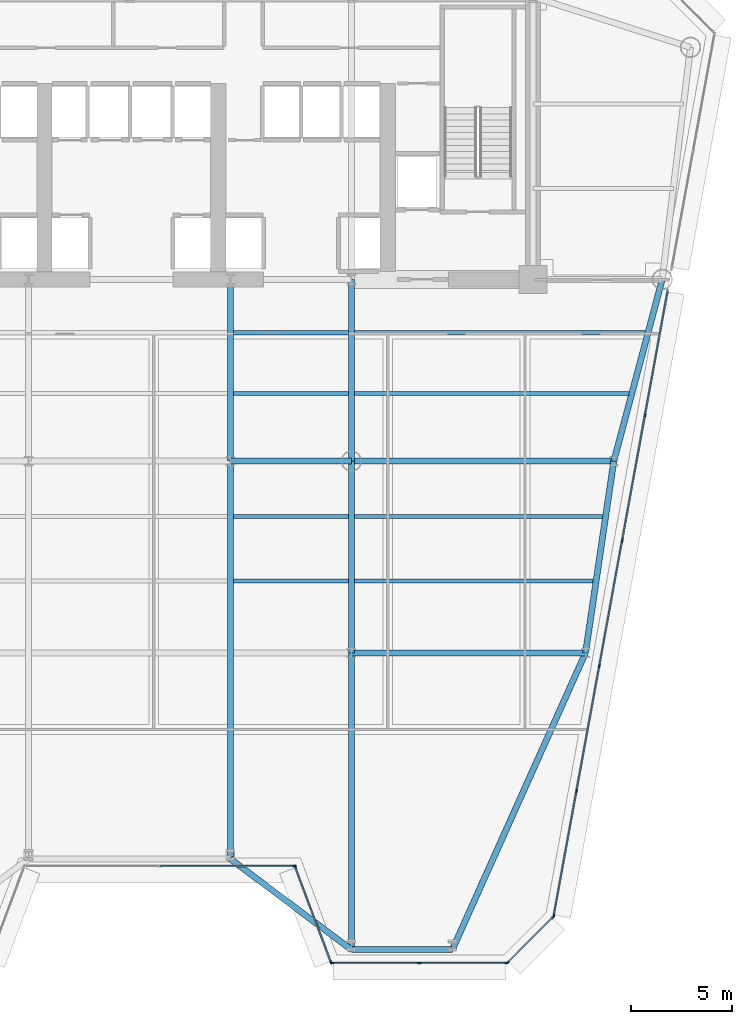
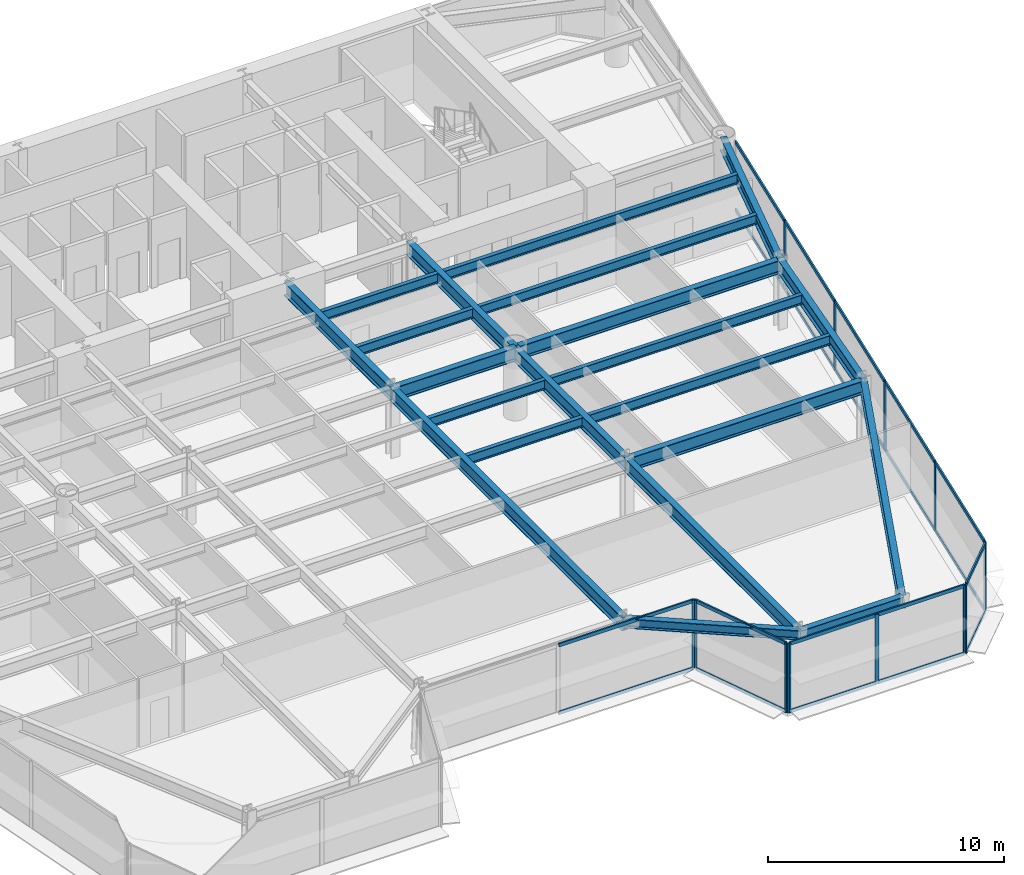
# One storey, part 5 of 15: 33 members, 21 beams, 5 elements without a shape of their own.
"""IFC4 building model written with IfcOpenShell, lengths in metres."""

from ifc_helpers import new_model, si_unit, direction, frame, origin, origin_2d, place, context, subcontext, project, spatial, rectangle, i_section, extrude, source, transform, mapped, material, layer, layer_set, material_profile, profile_set, type_object, element, aggregate, save


model = new_model("IFC4")

# Units and contexts
model_context = context("Model", 3, precision=1e-05, world=origin(), true_north=direction((0.0, 1.0)))
body_context = subcontext(model_context, "Body", "Model", "MODEL_VIEW")
ifc_project = project(units=[si_unit("LENGTHUNIT", "METRE"), si_unit("AREAUNIT", "SQUARE_METRE"), si_unit("VOLUMEUNIT", "CUBIC_METRE"), si_unit("PLANEANGLEUNIT", "RADIAN"), si_unit("MASSUNIT", "GRAM", prefix="KILO")], contexts=[model_context])

# Site, building, storey
site_placement = place(None, origin())
site = spatial("IfcSite", under=ifc_project, at=site_placement, CompositionType="ELEMENT")
building_placement = place(site_placement, origin())
building = spatial("IfcBuilding", under=site, at=building_placement, Name="Vaeldorn Concourse Tower", CompositionType="ELEMENT")
storey_placement = place(building_placement, frame((0.0, 0.0, 103.39990234375)))
storey = spatial("IfcBuildingStorey", under=building, at=storey_placement, Name="L26", CompositionType="ELEMENT", Elevation=103.39990234375)

# Beams
ifc_material_1 = material(Name="Steel S355", Category="steel")
ifc_material_profile_1 = material_profile(ifc_material_1, i_section(OverallWidth=0.199951171875, OverallDepth=0.5, WebThickness=0.01025390625, FlangeThickness=0.01611328125, FilletRadius=0.02099609375, at=origin_2d()), Name="IPE 500")
ifc_profile_set_1 = profile_set([ifc_material_profile_1], Name="Steel S355")
beam_type_1 = type_object("IfcBeamType", Name="BM-JS-IPE500", PredefinedType="JOIST", material=ifc_profile_set_1)
shared_shape_1 = source(origin(), body_context, "Body", "SweptSolid", [
    extrude(i_section(OverallWidth=0.199951171875, OverallDepth=0.5, WebThickness=0.01025390625, FlangeThickness=0.01611328125, FilletRadius=0.02099609375, at=origin_2d()), origin(), (0.0, 0.0, 1.0), 11.82470703125),
])
beam_1_placement = place(storey_placement, frame((45.14990234375, 21.56005859375, 3.330078125), z_axis=(1.0, 0.0, 0.0), x_axis=(0.0, 1.0, 0.0)))
element("IfcBeam", 1, at=beam_1_placement, inside=storey, type_object=beam_type_1, Name="Beam JS-L26-E1-215", PredefinedType="JOIST", context=body_context, shape_type="MappedRepresentation", body=[
    mapped(shared_shape_1, transform((0.0, 0.0, 0.0), scale=1.0)),
])
shared_shape_2 = source(origin(), body_context, "Body", "SweptSolid", [
    extrude(i_section(OverallWidth=0.199951171875, OverallDepth=0.5, WebThickness=0.01025390625, FlangeThickness=0.01611328125, FilletRadius=0.02099609375, at=origin_2d()), origin(), (0.0, 0.0, 1.0), 5.7001953125),
])
for number, where, z_axis, x_axis, name in (
    (2, (39.14990234375, 21.56005859375, 3.330078125), (1.0, 0.0, 0.0), (0.0, 1.0, 0.0), "Beam JS-L26-E2-215"),
    (3, (39.14990234375, 24.760009765625, 3.330078125), (1.0, 0.0, 0.0), (0.0, 1.0, 0.0), "Beam JS-L26-E2-247"),
    (4, (39.14990234375, 30.860107421875, 3.330078125), (1.0, 0.0, 0.0), (0.0, 1.0, 0.0), "Beam JS-L26-E2-308"),
    (5, (39.14990234375, 33.860107421875, 3.330078125), (1.0, 0.0, 0.0), (0.0, 1.0, 0.0), "Beam JS-L26-E2-338"),
):
    element("IfcBeam", number, at=place(storey_placement, frame(where, z_axis=z_axis, x_axis=x_axis)), inside=storey, type_object=beam_type_1, Name=name, PredefinedType="JOIST", context=body_context, shape_type="MappedRepresentation", body=[
        mapped(shared_shape_2, transform((0.0, 0.0, 0.0), scale=1.0)),
    ])
shared_shape_3 = source(origin(), body_context, "Body", "SweptSolid", [
    extrude(i_section(OverallWidth=0.199951171875, OverallDepth=0.5, WebThickness=0.01025390625, FlangeThickness=0.01611328125, FilletRadius=0.02099609375, at=origin_2d()), origin(), (0.0, 0.0, 1.0), 12.29638671875),
])
beam_2_placement = place(storey_placement, frame((45.14990234375, 24.760009765625, 3.330078125), z_axis=(1.0, 0.0, 0.0), x_axis=(0.0, 1.0, 0.0)))
element("IfcBeam", 6, at=beam_2_placement, inside=storey, type_object=beam_type_1, Name="Beam JS-L26-E1-247", PredefinedType="JOIST", context=body_context, shape_type="MappedRepresentation", body=[
    mapped(shared_shape_3, transform((0.0, 0.0, 0.0), scale=1.0)),
])
shared_shape_4 = source(origin(), body_context, "Body", "SweptSolid", [
    extrude(i_section(OverallWidth=0.199951171875, OverallDepth=0.5, WebThickness=0.01025390625, FlangeThickness=0.01611328125, FilletRadius=0.02099609375, at=origin_2d()), origin(), (0.0, 0.0, 1.0), 13.59619140625),
])
beam_3_placement = place(storey_placement, frame((45.14990234375, 30.860107421875, 3.330078125), z_axis=(1.0, 0.0, 0.0), x_axis=(0.0, 1.0, 0.0)))
element("IfcBeam", 7, at=beam_3_placement, inside=storey, type_object=beam_type_1, Name="Beam JS-L26-E1-308", PredefinedType="JOIST", context=body_context, shape_type="MappedRepresentation", body=[
    mapped(shared_shape_4, transform((0.0, 0.0, 0.0), scale=1.0)),
])
shared_shape_5 = source(origin(), body_context, "Body", "SweptSolid", [
    extrude(i_section(OverallWidth=0.199951171875, OverallDepth=0.5, WebThickness=0.01025390625, FlangeThickness=0.01611328125, FilletRadius=0.02099609375, at=origin_2d()), origin(), (0.0, 0.0, 1.0), 14.39599609375),
])
beam_4_placement = place(storey_placement, frame((45.14990234375, 33.860107421875, 3.330078125), z_axis=(1.0, 0.0, 0.0), x_axis=(0.0, 1.0, 0.0)))
element("IfcBeam", 8, at=beam_4_placement, inside=storey, type_object=beam_type_1, Name="Beam JS-L26-E1-338", PredefinedType="JOIST", context=body_context, shape_type="MappedRepresentation", body=[
    mapped(shared_shape_5, transform((0.0, 0.0, 0.0), scale=1.0)),
])
ifc_material_profile_2 = material_profile(ifc_material_1, i_section(OverallWidth=0.300048828125, OverallDepth=0.699951171875, WebThickness=0.01708984375, FlangeThickness=0.031982421875, FilletRadius=0.027099609375, at=origin_2d()), Name="HEB 700")
ifc_profile_set_2 = profile_set([ifc_material_profile_2], Name="Steel S355")
beam_type_2 = type_object("IfcBeamType", Name="BM-PG-HEB700", PredefinedType="BEAM", material=ifc_profile_set_2)
shared_shape_6 = source(origin(), body_context, "Body", "SweptSolid", [
    extrude(i_section(OverallWidth=0.300048828125, OverallDepth=0.699951171875, WebThickness=0.01708984375, FlangeThickness=0.031982421875, FilletRadius=0.027099609375, at=origin_2d()), origin(), (0.0, 0.0, 1.0), 6.0),
])
beam_5_placement = place(storey_placement, frame((39.0, 27.5, 3.22998046875), z_axis=(1.0, 0.0, 0.0), x_axis=(0.0, 1.0, 0.0)))
element("IfcBeam", 9, at=beam_5_placement, inside=storey, type_object=beam_type_2, Name="Beam BM-L26-C-TW3-C-TW4", PredefinedType="BEAM", context=body_context, shape_type="MappedRepresentation", body=[
    mapped(shared_shape_6, transform((0.0, 0.0, 0.0), scale=1.0)),
])
shared_shape_7 = source(origin(), body_context, "Body", "SweptSolid", [
    extrude(i_section(OverallWidth=0.300048828125, OverallDepth=0.699951171875, WebThickness=0.01708984375, FlangeThickness=0.031982421875, FilletRadius=0.027099609375, at=origin_2d()), origin(), (0.0, 0.0, 1.0), 9.0),
])
for number, where, z_axis, x_axis, name in (
    (10, (39.0, 27.5, 3.22998046875), (0.0, 1.0, 0.0), (-1.0, 0.0, 0.0), "Beam BM-L26-C-TW3-C-FC4"),
    (11, (45.0, 27.5, 3.22998046875), (0.0, 1.0, 0.0), (-1.0, 0.0, 0.0), "Beam BM-L26-C-TW4-C-FC5"),
):
    element("IfcBeam", number, at=place(storey_placement, frame(where, z_axis=z_axis, x_axis=x_axis)), inside=storey, type_object=beam_type_2, Name=name, PredefinedType="BEAM", context=body_context, shape_type="MappedRepresentation", body=[
        mapped(shared_shape_7, transform((0.0, 0.0, 0.0), scale=1.0)),
    ])
shared_shape_8 = source(origin(), body_context, "Body", "SweptSolid", [
    extrude(i_section(OverallWidth=0.300048828125, OverallDepth=0.699951171875, WebThickness=0.01708984375, FlangeThickness=0.031982421875, FilletRadius=0.027099609375, at=origin_2d()), origin(), (0.0, 0.0, 1.0), 9.314453125),
])
beam_6_placement = place(storey_placement, frame((60.39990234375, 36.5, 3.22998046875), z_axis=(-0.257652862255, -0.966237549763, 0.0), x_axis=(0.966237549763, -0.257652862255, 0.0)))
element("IfcBeam", 12, at=beam_6_placement, inside=storey, type_object=beam_type_2, Name="Beam BM-L26-C-NE2-C-FLE1", PredefinedType="BEAM", context=body_context, shape_type="MappedRepresentation", body=[
    mapped(shared_shape_8, transform((0.0, 0.0, 0.0), scale=1.0)),
])
shared_shape_9 = source(origin(), body_context, "Body", "SweptSolid", [
    extrude(i_section(OverallWidth=0.300048828125, OverallDepth=0.699951171875, WebThickness=0.01708984375, FlangeThickness=0.031982421875, FilletRadius=0.027099609375, at=origin_2d()), origin(), (0.0, 0.0, 1.0), 13.0),
])
beam_7_placement = place(storey_placement, frame((45.0, 27.5, 3.22998046875), z_axis=(1.0, 0.0, 0.0), x_axis=(0.0, 1.0, 0.0)))
element("IfcBeam", 13, at=beam_7_placement, inside=storey, type_object=beam_type_2, Name="Beam BM-L26-C-TW4-C-FLE1", PredefinedType="BEAM", context=body_context, shape_type="MappedRepresentation", body=[
    mapped(shared_shape_9, transform((0.0, 0.0, 0.0), scale=1.0)),
])
ifc_material_profile_3 = material_profile(ifc_material_1, i_section(OverallWidth=0.300048828125, OverallDepth=0.5, WebThickness=0.014404296875, FlangeThickness=0.028076171875, FilletRadius=0.027099609375, at=origin_2d()), Name="HEB 500")
ifc_profile_set_3 = profile_set([ifc_material_profile_3], Name="Steel S355")
beam_type_3 = type_object("IfcBeamType", Name="BM-SP-HEB500", PredefinedType="SPANDREL", material=ifc_profile_set_3)
shared_shape_10 = source(origin(), body_context, "Body", "SweptSolid", [
    extrude(i_section(OverallWidth=0.300048828125, OverallDepth=0.5, WebThickness=0.014404296875, FlangeThickness=0.028076171875, FilletRadius=0.027099609375, at=origin_2d()), origin(), (0.0, 0.0, 1.0), 5.0),
])
beam_8_placement = place(storey_placement, frame((45.0, 3.290771484375, 3.330078125), z_axis=(1.0, 0.0, 0.0), x_axis=(0.0, 1.0, 0.0)))
element("IfcBeam", 14, at=beam_8_placement, inside=storey, type_object=beam_type_3, Name="Beam BM-L26-C-SF5-C-SF6", PredefinedType="SPANDREL", context=body_context, shape_type="MappedRepresentation", body=[
    mapped(shared_shape_10, transform((0.0, 0.0, 0.0), scale=1.0)),
])
shared_shape_11 = source(origin(), body_context, "Body", "SweptSolid", [
    extrude(i_section(OverallWidth=0.300048828125, OverallDepth=0.5, WebThickness=0.014404296875, FlangeThickness=0.028076171875, FilletRadius=0.027099609375, at=origin_2d()), origin(), (0.0, 0.0, 1.0), 7.5),
])
beam_9_placement = place(storey_placement, frame((39.0, 7.790771484375, 3.330078125), z_axis=(0.8, -0.6, 0.0), x_axis=(0.6, 0.8, 0.0)))
element("IfcBeam", 15, at=beam_9_placement, inside=storey, type_object=beam_type_3, Name="Beam BM-L26-C-SF4-C-SF5", PredefinedType="SPANDREL", context=body_context, shape_type="MappedRepresentation", body=[
    mapped(shared_shape_11, transform((0.0, 0.0, 0.0), scale=1.0)),
])
shared_shape_12 = source(origin(), body_context, "Body", "SweptSolid", [
    extrude(i_section(OverallWidth=0.300048828125, OverallDepth=0.699951171875, WebThickness=0.01708984375, FlangeThickness=0.031982421875, FilletRadius=0.027099609375, at=origin_2d()), origin(), (0.0, 0.0, 1.0), 9.6025390625),
])
beam_10_placement = place(storey_placement, frame((58.0, 27.5, 3.22998046875), z_axis=(-0.145783835977, -0.989316467652, 0.0), x_axis=(0.989316467652, -0.145783835977, 0.0)))
element("IfcBeam", 16, at=beam_10_placement, inside=storey, type_object=beam_type_2, Name="Beam BM-L26-C-FLE1-C-FLE2", PredefinedType="BEAM", context=body_context, shape_type="MappedRepresentation", body=[
    mapped(shared_shape_12, transform((0.0, 0.0, 0.0), scale=1.0)),
])
shared_shape_13 = source(origin(), body_context, "Body", "SweptSolid", [
    extrude(i_section(OverallWidth=0.300048828125, OverallDepth=0.699951171875, WebThickness=0.01708984375, FlangeThickness=0.031982421875, FilletRadius=0.027099609375, at=origin_2d()), origin(), (0.0, 0.0, 1.0), 11.60009765625),
])
beam_11_placement = place(storey_placement, frame((45.0, 18.0, 3.22998046875), z_axis=(1.0, 0.0, 0.0), x_axis=(0.0, 1.0, 0.0)))
element("IfcBeam", 17, at=beam_11_placement, inside=storey, type_object=beam_type_2, Name="Beam BM-L26-C-TW6-C-FLE2", PredefinedType="BEAM", context=body_context, shape_type="MappedRepresentation", body=[
    mapped(shared_shape_13, transform((0.0, 0.0, 0.0), scale=1.0)),
])
shared_shape_14 = source(origin(), body_context, "Body", "SweptSolid", [
    extrude(i_section(OverallWidth=0.300048828125, OverallDepth=0.699951171875, WebThickness=0.01708984375, FlangeThickness=0.031982421875, FilletRadius=0.027099609375, at=origin_2d()), origin(), (0.0, 0.0, 1.0), 9.5),
])
beam_12_placement = place(storey_placement, frame((45.0, 18.0, 3.22998046875), z_axis=(0.0, 1.0, 0.0), x_axis=(-1.0, 0.0, 0.0)))
element("IfcBeam", 18, at=beam_12_placement, inside=storey, type_object=beam_type_2, Name="Beam BM-L26-C-TW6-C-TW4", PredefinedType="BEAM", context=body_context, shape_type="MappedRepresentation", body=[
    mapped(shared_shape_14, transform((0.0, 0.0, 0.0), scale=1.0)),
])
shared_shape_15 = source(origin(), body_context, "Body", "SweptSolid", [
    extrude(i_section(OverallWidth=0.300048828125, OverallDepth=0.699951171875, WebThickness=0.01708984375, FlangeThickness=0.031982421875, FilletRadius=0.027099609375, at=origin_2d()), origin(), (0.0, 0.0, 1.0), 16.1220703125),
])
beam_13_placement = place(storey_placement, frame((50.0, 3.290771484375, 3.22998046875), z_axis=(0.409381547022, 0.912363276857, 0.0), x_axis=(-0.912363276857, 0.409381547022, 0.0)))
element("IfcBeam", 19, at=beam_13_placement, inside=storey, type_object=beam_type_2, Name="Beam BM-L26-C-SF6-C-FLE2", PredefinedType="BEAM", context=body_context, shape_type="MappedRepresentation", body=[
    mapped(shared_shape_15, transform((0.0, 0.0, 0.0), scale=1.0)),
])
shared_shape_16 = source(origin(), body_context, "Body", "SweptSolid", [
    extrude(i_section(OverallWidth=0.300048828125, OverallDepth=0.699951171875, WebThickness=0.01708984375, FlangeThickness=0.031982421875, FilletRadius=0.027099609375, at=origin_2d()), origin(), (0.0, 0.0, 1.0), 14.709228515625),
])
beam_14_placement = place(storey_placement, frame((45.0, 3.290771484375, 3.22998046875), z_axis=(0.0, 1.0, 0.0), x_axis=(-1.0, 0.0, 0.0)))
element("IfcBeam", 20, at=beam_14_placement, inside=storey, type_object=beam_type_2, Name="Beam BM-L26-C-SF5-C-TW6", PredefinedType="BEAM", context=body_context, shape_type="MappedRepresentation", body=[
    mapped(shared_shape_16, transform((0.0, 0.0, 0.0), scale=1.0)),
])
shared_shape_17 = source(origin(), body_context, "Body", "SweptSolid", [
    extrude(i_section(OverallWidth=0.300048828125, OverallDepth=0.699951171875, WebThickness=0.01708984375, FlangeThickness=0.031982421875, FilletRadius=0.027099609375, at=origin_2d()), origin(), (0.0, 0.0, 1.0), 19.709228515625),
])
beam_15_placement = place(storey_placement, frame((39.0, 7.790771484375, 3.22998046875), z_axis=(0.0, 1.0, 0.0), x_axis=(-1.0, 0.0, 0.0)))
element("IfcBeam", 21, at=beam_15_placement, inside=storey, type_object=beam_type_2, Name="Beam BM-L26-C-SF4-C-TW3", PredefinedType="BEAM", context=body_context, shape_type="MappedRepresentation", body=[
    mapped(shared_shape_17, transform((0.0, 0.0, 0.0), scale=1.0)),
])

# Curtain wall, members
ifc_material_2 = material(Name="Anodised Bronze Aluminium", Category="aluminium")
ifc_layer = layer(ifc_material_2, 0.199951171875)
ifc_layer_set = layer_set([ifc_layer], Name="Anodised Bronze Aluminium")
curtain_wall_type = type_object("IfcCurtainWallType", Name="CW-SYS-02", PredefinedType="NOTDEFINED", material=ifc_layer_set)
curtain_wall_1_placement = place(storey_placement, origin())
curtain_wall_1 = element("IfcCurtainWall", 22, at=curtain_wall_1_placement, inside=storey, type_object=curtain_wall_type, Name="Unitised Curtain Wall CW-L26-E03-1", PredefinedType="NOTDEFINED")
ifc_material_profile_4 = material_profile(ifc_material_2, rectangle(XDim=0.074951171875, YDim=0.179931640625, at=origin_2d()), Name="CWT 75x180")
ifc_profile_set_4 = profile_set([ifc_material_profile_4], Name="Anodised Bronze Aluminium")
member_type_1 = type_object("IfcMemberType", Name="CWT-BRONZE-180", PredefinedType="USERDEFINED", material=ifc_profile_set_4)
shared_shape_18 = source(origin(), body_context, "Body", "SweptSolid", [
    extrude(rectangle(XDim=0.074951171875, YDim=0.179931640625, at=origin_2d()), origin(), (0.0, 0.0, 1.0), 6.58740234375),
])
member_1_placement = place(storey_placement, frame((35.53759765625, 7.4296875, 0.03759765625), z_axis=(1.0, 0.0, 0.0), x_axis=(0.0, 1.0, 0.0)))
member_1 = element("IfcMember", 23, at=member_1_placement, type_object=member_type_1, Name="CW-02 transom 2.1", ObjectType="TRANSOM", PredefinedType="USERDEFINED", context=body_context, shape_type="MappedRepresentation", body=[
    mapped(shared_shape_18, transform((0.0, 0.0, 0.0), scale=1.0)),
])
member_2_placement = place(storey_placement, frame((35.53759765625, 7.4296875, 3.54248046875), z_axis=(1.0, 0.0, 0.0), x_axis=(0.0, 1.0, 0.0)))
member_2 = element("IfcMember", 24, at=member_2_placement, type_object=member_type_1, Name="CW-02 transom 2.2", ObjectType="TRANSOM", PredefinedType="USERDEFINED", context=body_context, shape_type="MappedRepresentation", body=[
    mapped(shared_shape_18, transform((0.0, 0.0, 0.0), scale=1.0)),
])

curtain_wall_2_placement = place(storey_placement, origin())
curtain_wall_2 = element("IfcCurtainWall", 25, at=curtain_wall_2_placement, inside=storey, type_object=curtain_wall_type, Name="Unitised Curtain Wall CW-L26-E04-1", PredefinedType="NOTDEFINED")
shared_shape_19 = source(origin(), body_context, "Body", "SweptSolid", [
    extrude(rectangle(XDim=0.074951171875, YDim=0.179931640625, at=origin_2d()), origin(), (0.0, 0.0, 1.0), 4.9765625),
])
member_3_placement = place(storey_placement, frame((42.226318359375, 7.359619140625, 0.03759765625), z_axis=(0.351112688987, -0.936333209724, 0.0), x_axis=(0.936333209724, 0.351112688987, 0.0)))
member_3 = element("IfcMember", 26, at=member_3_placement, type_object=member_type_1, Name="CW-02 transom 1.1", ObjectType="TRANSOM", PredefinedType="USERDEFINED", context=body_context, shape_type="MappedRepresentation", body=[
    mapped(shared_shape_19, transform((0.0, 0.0, 0.0), scale=1.0)),
])
member_4_placement = place(storey_placement, frame((42.226318359375, 7.359619140625, 3.54248046875), z_axis=(0.351112688987, -0.936333209724, 0.0), x_axis=(0.936333209724, 0.351112688987, 0.0)))
member_4 = element("IfcMember", 27, at=member_4_placement, type_object=member_type_1, Name="CW-02 transom 1.2", ObjectType="TRANSOM", PredefinedType="USERDEFINED", context=body_context, shape_type="MappedRepresentation", body=[
    mapped(shared_shape_19, transform((0.0, 0.0, 0.0), scale=1.0)),
])

curtain_wall_3_placement = place(storey_placement, origin())
curtain_wall_3 = element("IfcCurtainWall", 28, at=curtain_wall_3_placement, inside=storey, type_object=curtain_wall_type, Name="Unitised Curtain Wall CW-L26-E06-1", PredefinedType="NOTDEFINED")
shared_shape_20 = source(origin(), body_context, "Body", "SweptSolid", [
    extrude(rectangle(XDim=0.074951171875, YDim=0.179931640625, at=origin_2d()), origin(), (0.0, 0.0, 1.0), 3.1025390625),
])
member_5_placement = place(storey_placement, frame((52.77197265625, 2.682861328125, 0.03759765625), z_axis=(0.707106781187, 0.707106781187, 0.0), x_axis=(-0.707106781187, 0.707106781187, 0.0)))
member_5 = element("IfcMember", 29, at=member_5_placement, type_object=member_type_1, Name="CW-02 transom 1.1", ObjectType="TRANSOM", PredefinedType="USERDEFINED", context=body_context, shape_type="MappedRepresentation", body=[
    mapped(shared_shape_20, transform((0.0, 0.0, 0.0), scale=1.0)),
])
member_6_placement = place(storey_placement, frame((52.77197265625, 2.682861328125, 3.54248046875), z_axis=(0.707106781187, 0.707106781187, 0.0), x_axis=(-0.707106781187, 0.707106781187, 0.0)))
member_6 = element("IfcMember", 30, at=member_6_placement, type_object=member_type_1, Name="CW-02 transom 1.2", ObjectType="TRANSOM", PredefinedType="USERDEFINED", context=body_context, shape_type="MappedRepresentation", body=[
    mapped(shared_shape_20, transform((0.0, 0.0, 0.0), scale=1.0)),
])

curtain_wall_4_placement = place(storey_placement, origin())
curtain_wall_4 = element("IfcCurtainWall", 31, at=curtain_wall_4_placement, inside=storey, type_object=curtain_wall_type, Name="Unitised Curtain Wall CW-L26-E05-1", PredefinedType="NOTDEFINED")
shared_shape_21 = source(origin(), body_context, "Body", "SweptSolid", [
    extrude(rectangle(XDim=0.074951171875, YDim=0.179931640625, at=origin_2d()), origin(), (0.0, 0.0, 1.0), 4.2470703125),
])
member_7_placement = place(storey_placement, frame((44.074951171875, 2.6298828125, 0.03759765625), z_axis=(1.0, 0.0, 0.0), x_axis=(0.0, 1.0, 0.0)))
member_7 = element("IfcMember", 32, at=member_7_placement, type_object=member_type_1, Name="CW-02 transom 1.1", ObjectType="TRANSOM", PredefinedType="USERDEFINED", context=body_context, shape_type="MappedRepresentation", body=[
    mapped(shared_shape_21, transform((0.0, 0.0, 0.0), scale=1.0)),
])
member_8_placement = place(storey_placement, frame((44.074951171875, 2.6298828125, 3.54248046875), z_axis=(1.0, 0.0, 0.0), x_axis=(0.0, 1.0, 0.0)))
member_8 = element("IfcMember", 33, at=member_8_placement, type_object=member_type_1, Name="CW-02 transom 1.2", ObjectType="TRANSOM", PredefinedType="USERDEFINED", context=body_context, shape_type="MappedRepresentation", body=[
    mapped(shared_shape_21, transform((0.0, 0.0, 0.0), scale=1.0)),
])
shared_shape_22 = source(origin(), body_context, "Body", "SweptSolid", [
    extrude(rectangle(XDim=0.074951171875, YDim=0.179931640625, at=origin_2d()), origin(), (0.0, 0.0, 1.0), 4.246826171875),
])
member_9_placement = place(storey_placement, frame((48.39697265625, 2.6298828125, 0.03759765625), z_axis=(1.0, 0.0, 0.0), x_axis=(0.0, 1.0, 0.0)))
member_9 = element("IfcMember", 34, at=member_9_placement, type_object=member_type_1, Name="CW-02 transom 2.1", ObjectType="TRANSOM", PredefinedType="USERDEFINED", context=body_context, shape_type="MappedRepresentation", body=[
    mapped(shared_shape_22, transform((0.0, 0.0, 0.0), scale=1.0)),
])
member_10_placement = place(storey_placement, frame((48.39697265625, 2.6298828125, 3.54248046875), z_axis=(1.0, 0.0, 0.0), x_axis=(0.0, 1.0, 0.0)))
member_10 = element("IfcMember", 35, at=member_10_placement, type_object=member_type_1, Name="CW-02 transom 2.2", ObjectType="TRANSOM", PredefinedType="USERDEFINED", context=body_context, shape_type="MappedRepresentation", body=[
    mapped(shared_shape_22, transform((0.0, 0.0, 0.0), scale=1.0)),
])

# Member
ifc_material_profile_5 = material_profile(ifc_material_2, rectangle(XDim=0.074951171875, YDim=0.18994140625, at=origin_2d()), Name="CWM 75x190")
ifc_profile_set_5 = profile_set([ifc_material_profile_5], Name="Anodised Bronze Aluminium")
member_type_2 = type_object("IfcMemberType", Name="CWM-BRONZE-190", PredefinedType="MULLION", material=ifc_profile_set_5)
shared_shape_23 = source(origin(), body_context, "Body", "SweptSolid", [
    extrude(rectangle(XDim=0.074951171875, YDim=0.18994140625, at=origin_2d()), origin(), (0.0, 0.0, 1.0), 3.580078125),
])
member_11_placement = place(storey_placement, frame((42.16259765625, 7.4296875, 0.0), z_axis=(0.0, 0.0, 1.0), x_axis=(0.0, 1.0, 0.0)))
member_11 = element("IfcMember", 36, at=member_11_placement, type_object=member_type_2, Name="CW-02 mullion 3", PredefinedType="MULLION", context=body_context, shape_type="MappedRepresentation", body=[
    mapped(shared_shape_23, transform((0.0, 0.0, 0.0), scale=1.0)),
])

aggregate(curtain_wall_1, [member_11, member_1, member_2])

member_12_placement = place(storey_placement, frame((42.213134765625, 7.394775390625, 0.0), z_axis=(0.0, 0.0, 1.0), x_axis=(0.936329177566, 0.351123441595, 0.0)))
member_12 = element("IfcMember", 37, at=member_12_placement, type_object=member_type_2, Name="CW-02 mullion 1", PredefinedType="MULLION", context=body_context, shape_type="MappedRepresentation", body=[
    mapped(shared_shape_23, transform((0.0, 0.0, 0.0), scale=1.0)),
])

member_13_placement = place(storey_placement, frame((43.98681640625, 2.664794921875, 0.0), z_axis=(0.0, 0.0, 1.0), x_axis=(0.936329177566, 0.351123441595, 0.0)))
member_13 = element("IfcMember", 38, at=member_13_placement, type_object=member_type_2, Name="CW-02 mullion 2", PredefinedType="MULLION", context=body_context, shape_type="MappedRepresentation", body=[
    mapped(shared_shape_23, transform((0.0, 0.0, 0.0), scale=1.0)),
])

aggregate(curtain_wall_2, [member_12, member_13, member_3, member_4])

member_14_placement = place(storey_placement, frame((44.03759765625, 2.6298828125, 0.0), z_axis=(0.0, 0.0, 1.0), x_axis=(0.0, 1.0, 0.0)))
member_14 = element("IfcMember", 39, at=member_14_placement, type_object=member_type_2, Name="CW-02 mullion 1", PredefinedType="MULLION", context=body_context, shape_type="MappedRepresentation", body=[
    mapped(shared_shape_23, transform((0.0, 0.0, 0.0), scale=1.0)),
])

member_15_placement = place(storey_placement, frame((48.359375, 2.6298828125, 0.0), z_axis=(0.0, 0.0, 1.0), x_axis=(0.0, 1.0, 0.0)))
member_15 = element("IfcMember", 40, at=member_15_placement, type_object=member_type_2, Name="CW-02 mullion 2", PredefinedType="MULLION", context=body_context, shape_type="MappedRepresentation", body=[
    mapped(shared_shape_23, transform((0.0, 0.0, 0.0), scale=1.0)),
])

member_16_placement = place(storey_placement, frame((52.681396484375, 2.6298828125, 0.0), z_axis=(0.0, 0.0, 1.0), x_axis=(0.0, 1.0, 0.0)))
member_16 = element("IfcMember", 41, at=member_16_placement, type_object=member_type_2, Name="CW-02 mullion 3", PredefinedType="MULLION", context=body_context, shape_type="MappedRepresentation", body=[
    mapped(shared_shape_23, transform((0.0, 0.0, 0.0), scale=1.0)),
])

aggregate(curtain_wall_4, [member_14, member_15, member_16, member_7, member_8, member_9, member_10])

member_17_placement = place(storey_placement, frame((52.745361328125, 2.65625, 0.0), z_axis=(0.0, 0.0, 1.0), x_axis=(-0.707106781187, 0.707106781187, 0.0)))
member_17 = element("IfcMember", 42, at=member_17_placement, type_object=member_type_2, Name="CW-02 mullion 1", PredefinedType="MULLION", context=body_context, shape_type="MappedRepresentation", body=[
    mapped(shared_shape_23, transform((0.0, 0.0, 0.0), scale=1.0)),
])

member_18_placement = place(storey_placement, frame((54.992431640625, 4.9033203125, 0.0), z_axis=(0.0, 0.0, 1.0), x_axis=(-0.707106781187, 0.707106781187, 0.0)))
member_18 = element("IfcMember", 43, at=member_18_placement, type_object=member_type_2, Name="CW-02 mullion 2", PredefinedType="MULLION", context=body_context, shape_type="MappedRepresentation", body=[
    mapped(shared_shape_23, transform((0.0, 0.0, 0.0), scale=1.0)),
])

aggregate(curtain_wall_3, [member_17, member_18, member_5, member_6])

# Curtain wall, members
curtain_wall_5_placement = place(storey_placement, origin())
curtain_wall_5 = element("IfcCurtainWall", 44, at=curtain_wall_5_placement, inside=storey, type_object=curtain_wall_type, Name="Unitised Curtain Wall CW-L26-E07-1", PredefinedType="NOTDEFINED")
member_19_placement = place(storey_placement, frame((55.025634765625, 4.966796875, 0.0), z_axis=(0.0, 0.0, 1.0), x_axis=(-0.983779200312, 0.179383625321, 0.0)))
member_19 = element("IfcMember", 45, at=member_19_placement, type_object=member_type_2, Name="CW-02 mullion 1", PredefinedType="MULLION", context=body_context, shape_type="MappedRepresentation", body=[
    mapped(shared_shape_23, transform((0.0, 0.0, 0.0), scale=1.0)),
])
member_20_placement = place(storey_placement, frame((56.1513671875, 11.14013671875, 0.0), z_axis=(0.0, 0.0, 1.0), x_axis=(-0.983779200312, 0.179383625321, 0.0)))
member_20 = element("IfcMember", 46, at=member_20_placement, type_object=member_type_2, Name="CW-02 mullion 2", PredefinedType="MULLION", context=body_context, shape_type="MappedRepresentation", body=[
    mapped(shared_shape_23, transform((0.0, 0.0, 0.0), scale=1.0)),
])
member_21_placement = place(storey_placement, frame((57.28369140625, 17.3505859375, 0.0), z_axis=(0.0, 0.0, 1.0), x_axis=(-0.983779200312, 0.179383625321, 0.0)))
member_21 = element("IfcMember", 47, at=member_21_placement, type_object=member_type_2, Name="CW-02 mullion 3", PredefinedType="MULLION", context=body_context, shape_type="MappedRepresentation", body=[
    mapped(shared_shape_23, transform((0.0, 0.0, 0.0), scale=1.0)),
])
member_22_placement = place(storey_placement, frame((58.416259765625, 23.56103515625, 0.0), z_axis=(0.0, 0.0, 1.0), x_axis=(-0.983779200312, 0.179383625321, 0.0)))
member_22 = element("IfcMember", 48, at=member_22_placement, type_object=member_type_2, Name="CW-02 mullion 4", PredefinedType="MULLION", context=body_context, shape_type="MappedRepresentation", body=[
    mapped(shared_shape_23, transform((0.0, 0.0, 0.0), scale=1.0)),
])
member_23_placement = place(storey_placement, frame((59.548583984375, 29.771484375, 0.0), z_axis=(0.0, 0.0, 1.0), x_axis=(-0.983779200312, 0.179383625321, 0.0)))
member_23 = element("IfcMember", 49, at=member_23_placement, type_object=member_type_2, Name="CW-02 mullion 5", PredefinedType="MULLION", context=body_context, shape_type="MappedRepresentation", body=[
    mapped(shared_shape_23, transform((0.0, 0.0, 0.0), scale=1.0)),
])
shared_shape_24 = source(origin(), body_context, "Body", "SweptSolid", [
    extrude(rectangle(XDim=0.074951171875, YDim=0.179931640625, at=origin_2d()), origin(), (0.0, 0.0, 1.0), 6.2001953125),
])
member_24_placement = place(storey_placement, frame((55.032470703125, 5.003662109375, 0.03759765625), z_axis=(0.179360140946, 0.983783482195, 0.0), x_axis=(-0.983783482195, 0.179360140946, 0.0)))
member_24 = element("IfcMember", 50, at=member_24_placement, type_object=member_type_1, Name="CW-02 transom 1.1", ObjectType="TRANSOM", PredefinedType="USERDEFINED", context=body_context, shape_type="MappedRepresentation", body=[
    mapped(shared_shape_24, transform((0.0, 0.0, 0.0), scale=1.0)),
])
member_25_placement = place(storey_placement, frame((55.032470703125, 5.003662109375, 3.54248046875), z_axis=(0.179360140946, 0.983783482195, 0.0), x_axis=(-0.983783482195, 0.179360140946, 0.0)))
member_25 = element("IfcMember", 51, at=member_25_placement, type_object=member_type_1, Name="CW-02 transom 1.2", ObjectType="TRANSOM", PredefinedType="USERDEFINED", context=body_context, shape_type="MappedRepresentation", body=[
    mapped(shared_shape_24, transform((0.0, 0.0, 0.0), scale=1.0)),
])
shared_shape_25 = source(origin(), body_context, "Body", "SweptSolid", [
    extrude(rectangle(XDim=0.074951171875, YDim=0.179931640625, at=origin_2d()), origin(), (0.0, 0.0, 1.0), 6.23779296875),
])
member_26_placement = place(storey_placement, frame((56.157958984375, 11.17724609375, 0.03759765625), z_axis=(0.179415831783, 0.983773327198, 0.0), x_axis=(-0.983773327198, 0.179415831783, 0.0)))
member_26 = element("IfcMember", 52, at=member_26_placement, type_object=member_type_1, Name="CW-02 transom 2.1", ObjectType="TRANSOM", PredefinedType="USERDEFINED", context=body_context, shape_type="MappedRepresentation", body=[
    mapped(shared_shape_25, transform((0.0, 0.0, 0.0), scale=1.0)),
])
member_27_placement = place(storey_placement, frame((56.157958984375, 11.17724609375, 3.54248046875), z_axis=(0.179415831783, 0.983773327198, 0.0), x_axis=(-0.983773327198, 0.179415831783, 0.0)))
member_27 = element("IfcMember", 53, at=member_27_placement, type_object=member_type_1, Name="CW-02 transom 2.2", ObjectType="TRANSOM", PredefinedType="USERDEFINED", context=body_context, shape_type="MappedRepresentation", body=[
    mapped(shared_shape_25, transform((0.0, 0.0, 0.0), scale=1.0)),
])
member_28_placement = place(storey_placement, frame((57.29052734375, 17.387451171875, 0.03759765625), z_axis=(0.17937104502, 0.983781494138, 0.0), x_axis=(-0.983781494138, 0.17937104502, 0.0)))
member_28 = element("IfcMember", 54, at=member_28_placement, type_object=member_type_1, Name="CW-02 transom 3.1", ObjectType="TRANSOM", PredefinedType="USERDEFINED", context=body_context, shape_type="MappedRepresentation", body=[
    mapped(shared_shape_25, transform((0.0, 0.0, 0.0), scale=1.0)),
])
member_29_placement = place(storey_placement, frame((57.29052734375, 17.387451171875, 3.54248046875), z_axis=(0.17937104502, 0.983781494138, 0.0), x_axis=(-0.983781494138, 0.17937104502, 0.0)))
member_29 = element("IfcMember", 55, at=member_29_placement, type_object=member_type_1, Name="CW-02 transom 3.2", ObjectType="TRANSOM", PredefinedType="USERDEFINED", context=body_context, shape_type="MappedRepresentation", body=[
    mapped(shared_shape_25, transform((0.0, 0.0, 0.0), scale=1.0)),
])
member_30_placement = place(storey_placement, frame((58.4228515625, 23.597900390625, 0.03759765625), z_axis=(0.17937104502, 0.983781494138, 0.0), x_axis=(-0.983781494138, 0.17937104502, 0.0)))
member_30 = element("IfcMember", 56, at=member_30_placement, type_object=member_type_1, Name="CW-02 transom 4.1", ObjectType="TRANSOM", PredefinedType="USERDEFINED", context=body_context, shape_type="MappedRepresentation", body=[
    mapped(shared_shape_25, transform((0.0, 0.0, 0.0), scale=1.0)),
])
member_31_placement = place(storey_placement, frame((58.4228515625, 23.597900390625, 3.54248046875), z_axis=(0.17937104502, 0.983781494138, 0.0), x_axis=(-0.983781494138, 0.17937104502, 0.0)))
member_31 = element("IfcMember", 57, at=member_31_placement, type_object=member_type_1, Name="CW-02 transom 4.2", ObjectType="TRANSOM", PredefinedType="USERDEFINED", context=body_context, shape_type="MappedRepresentation", body=[
    mapped(shared_shape_25, transform((0.0, 0.0, 0.0), scale=1.0)),
])
shared_shape_26 = source(origin(), body_context, "Body", "SweptSolid", [
    extrude(rectangle(XDim=0.074951171875, YDim=0.179931640625, at=origin_2d()), origin(), (0.0, 0.0, 1.0), 6.200439453125),
])
member_32_placement = place(storey_placement, frame((59.555419921875, 29.808349609375, 0.03759765625), z_axis=(0.179353193159, 0.983784748867, 0.0), x_axis=(-0.983784748867, 0.179353193159, 0.0)))
member_32 = element("IfcMember", 58, at=member_32_placement, type_object=member_type_1, Name="CW-02 transom 5.1", ObjectType="TRANSOM", PredefinedType="USERDEFINED", context=body_context, shape_type="MappedRepresentation", body=[
    mapped(shared_shape_26, transform((0.0, 0.0, 0.0), scale=1.0)),
])
member_33_placement = place(storey_placement, frame((59.555419921875, 29.808349609375, 3.54248046875), z_axis=(0.179353193159, 0.983784748867, 0.0), x_axis=(-0.983784748867, 0.179353193159, 0.0)))
member_33 = element("IfcMember", 59, at=member_33_placement, type_object=member_type_1, Name="CW-02 transom 5.2", ObjectType="TRANSOM", PredefinedType="USERDEFINED", context=body_context, shape_type="MappedRepresentation", body=[
    mapped(shared_shape_26, transform((0.0, 0.0, 0.0), scale=1.0)),
])
aggregate(curtain_wall_5, [member_19, member_20, member_21, member_22, member_23, member_24, member_25, member_26, member_27, member_28, member_29, member_30, member_31, member_32, member_33])

save(model, "model.ifc")
